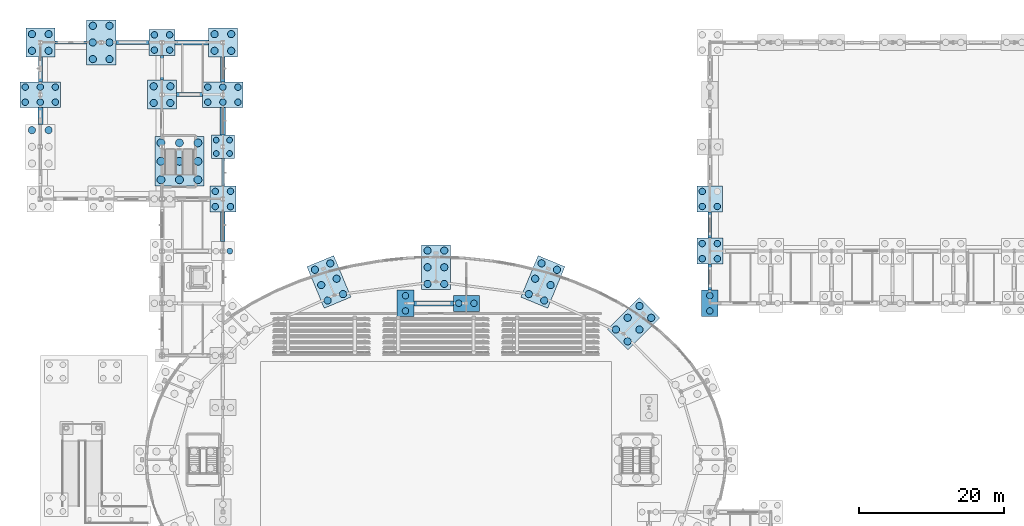
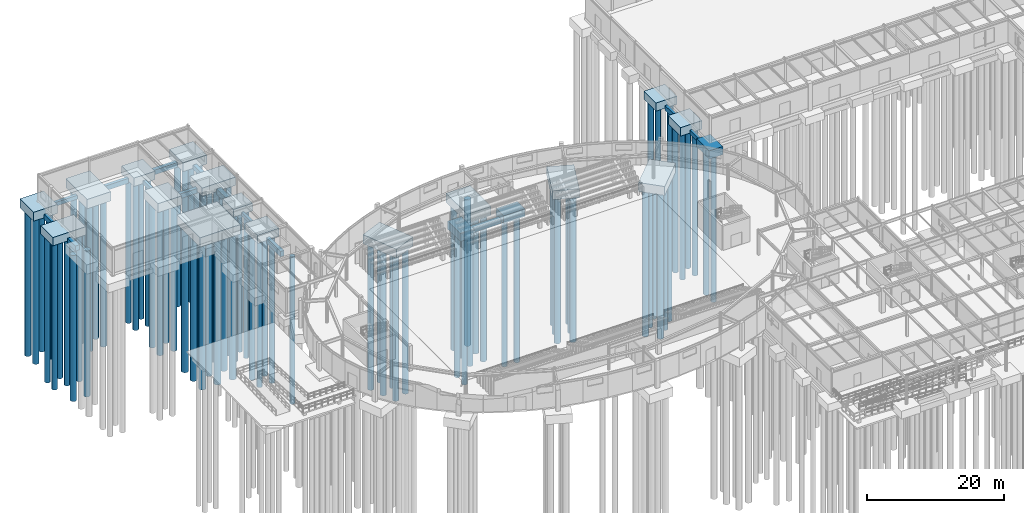
# One storey, part 4 of 93: 91 piles, 33 footings.
"""IFC4 building model written with IfcOpenShell, lengths in metres."""

from ifc_helpers import new_model, si_unit, derived_unit, direction, frame, origin, origin_2d, place, context, subcontext, project, spatial, rectangle, circle, extrude, material, material_profile, profile_set, type_object, element, save


model = new_model("IFC4")

# Units and contexts
model_context = context("Model", 3, precision=1e-05, world=origin(), true_north=direction((0.0, 1.0)))
body_context = subcontext(model_context, "Body", "Model", "MODEL_VIEW")
ifc_project = project(units=[si_unit("LENGTHUNIT", "METRE"), si_unit("AREAUNIT", "SQUARE_METRE"), si_unit("VOLUMEUNIT", "CUBIC_METRE"), si_unit("PLANEANGLEUNIT", "RADIAN"), si_unit("MASSUNIT", "GRAM", prefix="KILO"), derived_unit("THERMALTRANSMITTANCEUNIT", [(si_unit("MASSUNIT", "GRAM", prefix="KILO"), 1), (si_unit("TIMEUNIT", "SECOND"), -3), (si_unit("THERMODYNAMICTEMPERATUREUNIT", "KELVIN"), -1)])], contexts=[model_context])

# Site, building, storey
site_placement = place(None, origin())
site = spatial("IfcSite", under=ifc_project, at=site_placement, CompositionType="ELEMENT")
building_placement = place(site_placement, origin())
building = spatial("IfcBuilding", under=site, at=building_placement, Name="Kharveza Railside Sports Centre", CompositionType="ELEMENT")
storey_placement = place(building_placement, origin())
storey = spatial("IfcBuildingStorey", under=building, at=storey_placement, Name="L00", CompositionType="ELEMENT", Elevation=0.0)

# Footings
ifc_material = material(Name="Concrete C35/45", Category="concrete")
ifc_material_profile_1 = material_profile(ifc_material, rectangle(XDim=0.60009765625, YDim=0.800048828125, at=origin_2d()), Name="GB 600x800")
ifc_profile_set_1 = profile_set([ifc_material_profile_1], Name="Concrete C35/45")
footing_type_1 = type_object("IfcFootingType", Name="FT-GB01", PredefinedType="FOOTING_BEAM", material=ifc_profile_set_1)
footing_1_placement = place(storey_placement, frame((25.199951171875, 102.577880859375, -1.800048828125), z_axis=(0.0, 1.0, 0.0), x_axis=(-1.0, 0.0, 0.0)))
element("IfcFooting", 1, at=footing_1_placement, inside=storey, type_object=footing_type_1, Name="GB-NS-021", PredefinedType="FOOTING_BEAM", context=body_context, shape_type="SweptSolid", body=[
    extrude(rectangle(XDim=0.60009765625, YDim=0.800048828125, at=origin_2d()), origin(), (0.0, 0.0, 1.0), 3.419189453125),
])
ifc_material_profile_2 = material_profile(ifc_material, rectangle(XDim=0.699951171875, YDim=0.89990234375, at=origin_2d()), Name="GB 700x900")
ifc_profile_set_2 = profile_set([ifc_material_profile_2], Name="Concrete C35/45")
footing_type_2 = type_object("IfcFootingType", Name="FT-GB03", PredefinedType="FOOTING_BEAM", material=ifc_profile_set_2)
footing_2_placement = place(storey_placement, frame((0.0, 96.702880859375, -1.85009765625), z_axis=(0.0, 1.0, 0.0), x_axis=(-1.0, 0.0, 0.0)))
element("IfcFooting", 2, at=footing_2_placement, inside=storey, type_object=footing_type_2, Name="GB-NS-003", PredefinedType="FOOTING_BEAM", context=body_context, shape_type="SweptSolid", body=[
    extrude(rectangle(XDim=0.699951171875, YDim=0.89990234375, at=origin_2d()), origin(), (0.0, 0.0, 1.0), 2.319091796875),
])
footing_3_placement = place(storey_placement, frame((51.552978515625, 72.0, -1.85009765625), z_axis=(1.0, 0.0, 0.0), x_axis=(0.0, 1.0, 0.0)))
element("IfcFooting", 3, at=footing_3_placement, inside=storey, type_object=footing_type_2, Name="GB-EW-023", PredefinedType="FOOTING_BEAM", context=body_context, shape_type="SweptSolid", body=[
    extrude(rectangle(XDim=0.699951171875, YDim=0.89990234375, at=origin_2d()), origin(), (0.0, 0.0, 1.0), 5.444091796875),
])
ifc_material_profile_3 = material_profile(ifc_material, rectangle(XDim=0.550048828125, YDim=0.85009765625, at=origin_2d()), Name="GB 550x850")
ifc_profile_set_3 = profile_set([ifc_material_profile_3], Name="Concrete C35/45")
footing_type_3 = type_object("IfcFootingType", Name="FT-GB04", PredefinedType="FOOTING_BEAM", material=ifc_profile_set_3)
footing_4_placement = place(storey_placement, frame((0.0, 102.577880859375, -1.824951171875), z_axis=(0.0, 1.0, 0.0), x_axis=(-1.0, 0.0, 0.0)))
element("IfcFooting", 4, at=footing_4_placement, inside=storey, type_object=footing_type_3, Name="GB-NS-004", PredefinedType="FOOTING_BEAM", context=body_context, shape_type="SweptSolid", body=[
    extrude(rectangle(XDim=0.550048828125, YDim=0.85009765625, at=origin_2d()), origin(), (0.0, 0.0, 1.0), 3.419189453125),
])
footing_5_placement = place(storey_placement, frame((18.802978515625, 100.800048828125, -1.824951171875), z_axis=(1.0, 0.0, 0.0), x_axis=(0.0, 1.0, 0.0)))
element("IfcFooting", 5, at=footing_5_placement, inside=storey, type_object=footing_type_3, Name="GB-EW-014", PredefinedType="FOOTING_BEAM", context=body_context, shape_type="SweptSolid", body=[
    extrude(rectangle(XDim=0.550048828125, YDim=0.85009765625, at=origin_2d()), origin(), (0.0, 0.0, 1.0), 3.593994140625),
])
ifc_material_profile_4 = material_profile(ifc_material, rectangle(XDim=0.449951171875, YDim=0.699951171875, at=origin_2d()), Name="GB 450x700")
ifc_profile_set_4 = profile_set([ifc_material_profile_4], Name="Concrete C35/45")
footing_type_4 = type_object("IfcFootingType", Name="FT-GB05", PredefinedType="FOOTING_BEAM", material=ifc_profile_set_4)
footing_6_placement = place(storey_placement, frame((2.0029296875, 108.0, -1.75), z_axis=(1.0, 0.0, 0.0), x_axis=(0.0, 1.0, 0.0)))
element("IfcFooting", 6, at=footing_6_placement, inside=storey, type_object=footing_type_4, Name="GB-EW-005", PredefinedType="FOOTING_BEAM", context=body_context, shape_type="SweptSolid", body=[
    extrude(rectangle(XDim=0.449951171875, YDim=0.699951171875, at=origin_2d()), origin(), (0.0, 0.0, 1.0), 4.369140625),
])
footing_7_placement = place(storey_placement, frame((16.800048828125, 102.802978515625, -1.75), z_axis=(0.0, 1.0, 0.0), x_axis=(-1.0, 0.0, 0.0)))
element("IfcFooting", 7, at=footing_7_placement, inside=storey, type_object=footing_type_4, Name="GB-NS-015", PredefinedType="FOOTING_BEAM", context=body_context, shape_type="SweptSolid", body=[
    extrude(rectangle(XDim=0.449951171875, YDim=0.699951171875, at=origin_2d()), origin(), (0.0, 0.0, 1.0), 3.39404296875),
])
footing_8_placement = place(storey_placement, frame((92.39990234375, 73.827880859375, -1.75), z_axis=(0.0, 1.0, 0.0), x_axis=(-1.0, 0.0, 0.0)))
element("IfcFooting", 8, at=footing_8_placement, inside=storey, type_object=footing_type_4, Name="GB-NS-045", PredefinedType="FOOTING_BEAM", context=body_context, shape_type="SweptSolid", body=[
    extrude(rectangle(XDim=0.449951171875, YDim=0.699951171875, at=origin_2d()), origin(), (0.0, 0.0, 1.0), 3.569091796875),
])
ifc_material_profile_5 = material_profile(ifc_material, rectangle(XDim=0.64990234375, YDim=0.85009765625, at=origin_2d()), Name="GB 650x850")
ifc_profile_set_5 = profile_set([ifc_material_profile_5], Name="Concrete C35/45")
footing_type_5 = type_object("IfcFootingType", Name="FT-GB06", PredefinedType="FOOTING_BEAM", material=ifc_profile_set_5)
footing_9_placement = place(storey_placement, frame((18.60302734375, 108.0, -1.824951171875), z_axis=(1.0, 0.0, 0.0), x_axis=(0.0, 1.0, 0.0)))
element("IfcFooting", 9, at=footing_9_placement, inside=storey, type_object=footing_type_5, Name="GB-EW-016", PredefinedType="FOOTING_BEAM", context=body_context, shape_type="SweptSolid", body=[
    extrude(rectangle(XDim=0.64990234375, YDim=0.85009765625, at=origin_2d()), origin(), (0.0, 0.0, 1.0), 4.593994140625),
])
ifc_material_profile_6 = material_profile(ifc_material, rectangle(XDim=0.5, YDim=0.85009765625, at=origin_2d()), Name="GB 500x850")
ifc_profile_set_6 = profile_set([ifc_material_profile_6], Name="Concrete C35/45")
footing_type_6 = type_object("IfcFootingType", Name="FT-GB07", PredefinedType="FOOTING_BEAM", material=ifc_profile_set_6)
footing_10_placement = place(storey_placement, frame((10.427978515625, 108.0, -1.824951171875), z_axis=(1.0, 0.0, 0.0), x_axis=(0.0, 1.0, 0.0)))
element("IfcFooting", 10, at=footing_10_placement, inside=storey, type_object=footing_type_6, Name="GB-EW-007", PredefinedType="FOOTING_BEAM", context=body_context, shape_type="SweptSolid", body=[
    extrude(rectangle(XDim=0.5, YDim=0.85009765625, at=origin_2d()), origin(), (0.0, 0.0, 1.0), 4.569091796875),
])
footing_11_placement = place(storey_placement, frame((92.39990234375, 81.0029296875, -1.824951171875), z_axis=(0.0, 1.0, 0.0), x_axis=(-1.0, 0.0, 0.0)))
element("IfcFooting", 11, at=footing_11_placement, inside=storey, type_object=footing_type_6, Name="GB-NS-047", PredefinedType="FOOTING_BEAM", context=body_context, shape_type="SweptSolid", body=[
    extrude(rectangle(XDim=0.5, YDim=0.85009765625, at=origin_2d()), origin(), (0.0, 0.0, 1.0), 3.619140625),
])
ifc_material_profile_7 = material_profile(ifc_material, rectangle(XDim=0.60009765625, YDim=0.949951171875, at=origin_2d()), Name="GB 600x950")
ifc_profile_set_7 = profile_set([ifc_material_profile_7], Name="Concrete C35/45")
footing_type_7 = type_object("IfcFootingType", Name="FT-GB08", PredefinedType="FOOTING_BEAM", material=ifc_profile_set_7)
footing_12_placement = place(storey_placement, frame((25.199951171875, 80.5029296875, -1.875), z_axis=(0.0, 1.0, 0.0), x_axis=(-1.0, 0.0, 0.0)))
element("IfcFooting", 12, at=footing_12_placement, inside=storey, type_object=footing_type_7, Name="GB-NS-018", PredefinedType="FOOTING_BEAM", context=body_context, shape_type="SweptSolid", body=[
    extrude(rectangle(XDim=0.60009765625, YDim=0.949951171875, at=origin_2d()), origin(), (0.0, 0.0, 1.0), 4.093994140625),
])
ifc_material_profile_8 = material_profile(ifc_material, rectangle(XDim=0.39990234375, YDim=0.64990234375, at=origin_2d()), Name="GB 400x650")
ifc_profile_set_8 = profile_set([ifc_material_profile_8], Name="Concrete C35/45")
footing_type_8 = type_object("IfcFootingType", Name="FT-GB09", PredefinedType="FOOTING_BEAM", material=ifc_profile_set_8)
footing_13_placement = place(storey_placement, frame((25.199951171875, 88.202880859375, -1.72509765625), z_axis=(0.0, 1.0, 0.0), x_axis=(-1.0, 0.0, 0.0)))
element("IfcFooting", 13, at=footing_13_placement, inside=storey, type_object=footing_type_8, Name="GB-NS-019", PredefinedType="FOOTING_BEAM", context=body_context, shape_type="SweptSolid", body=[
    extrude(rectangle(XDim=0.39990234375, YDim=0.64990234375, at=origin_2d()), origin(), (0.0, 0.0, 1.0), 3.794189453125),
])
ifc_material_profile_9 = material_profile(ifc_material, rectangle(XDim=0.75, YDim=1.0, at=origin_2d()), Name="GB 750x1000")
ifc_profile_set_9 = profile_set([ifc_material_profile_9], Name="Concrete C35/45")
footing_type_9 = type_object("IfcFootingType", Name="FT-GB10", PredefinedType="FOOTING_BEAM", material=ifc_profile_set_9)
footing_14_placement = place(storey_placement, frame((25.199951171875, 95.202880859375, -1.89990234375), z_axis=(0.0, 1.0, 0.0), x_axis=(-1.0, 0.0, 0.0)))
element("IfcFooting", 14, at=footing_14_placement, inside=storey, type_object=footing_type_9, Name="GB-NS-020", PredefinedType="FOOTING_BEAM", context=body_context, shape_type="SweptSolid", body=[
    extrude(rectangle(XDim=0.75, YDim=1.0, at=origin_2d()), origin(), (0.0, 0.0, 1.0), 3.819091796875),
])
footing_type_10 = type_object("IfcFootingType", Name="FT-PC02", PredefinedType="PILE_CAP", material=ifc_material)
footing_15_placement = place(storey_placement, frame((58.800048828125, 72.0, -1.820068359375), z_axis=(0.0, 0.0, 1.0), x_axis=(1.0, 0.0, 0.0)))
element("IfcFooting", 15, at=footing_15_placement, inside=storey, type_object=footing_type_10, Name="FCAP-BOWL-04", PredefinedType="PILE_CAP", context=body_context, shape_type="SweptSolid", body=[
    extrude(rectangle(XDim=3.60009765625, YDim=2.199951171875, at=origin_2d()), origin(), (0.0, 0.0, 1.0), 1.39990234375),
])
footing_type_11 = type_object("IfcFootingType", Name="FT-PC03", PredefinedType="PILE_CAP", material=ifc_material)
for number, where, z_axis, x_axis, name in (
    (16, (50.39990234375, 72.0, -1.8701171875), (0.0, 0.0, 1.0), (1.0, 0.0, 0.0), "FCAP-BOWL-02"),
    (17, (92.39990234375, 72.0, -1.8701171875), (0.0, 0.0, 1.0), (1.0, 0.0, 0.0), "FCAP-GRD-039"),
):
    element("IfcFooting", number, at=place(storey_placement, frame(where, z_axis=z_axis, x_axis=x_axis)), inside=storey, type_object=footing_type_11, Name=name, PredefinedType="PILE_CAP", context=body_context, shape_type="SweptSolid", body=[
        extrude(rectangle(XDim=2.300048828125, YDim=3.64990234375, at=origin_2d()), origin(), (0.0, 0.0, 1.0), 1.449951171875),
    ])
footing_type_12 = type_object("IfcFootingType", Name="FT-PC04", PredefinedType="PILE_CAP", material=ifc_material)
for number, where, z_axis, x_axis, name in (
    (18, (16.800048828125, 108.0, -1.919921875), (0.0, 0.0, 1.0), (1.0, 0.0, 0.0), "FCAP-GRD-013"),
    (19, (25.199951171875, 86.39990234375, -1.919921875), (0.0, 0.0, 1.0), (1.0, 0.0, 0.0), "FCAP-GRD-017"),
    (20, (92.39990234375, 79.199951171875, -1.919921875), (0.0, 0.0, 1.0), (1.0, 0.0, 0.0), "FCAP-GRD-040"),
):
    element("IfcFooting", number, at=place(storey_placement, frame(where, z_axis=z_axis, x_axis=x_axis)), inside=storey, type_object=footing_type_12, Name=name, PredefinedType="PILE_CAP", context=body_context, shape_type="SweptSolid", body=[
        extrude(rectangle(XDim=3.60009765625, YDim=3.60009765625, at=origin_2d()), origin(), (0.0, 0.0, 1.0), 1.5),
    ])
footing_type_13 = type_object("IfcFootingType", Name="FT-PC05", PredefinedType="PILE_CAP", material=ifc_material)
for number, where, z_axis, x_axis, name in (
    (21, (0.0, 108.0, -2.02001953125), (0.0, 0.0, 1.0), (1.0, 0.0, 0.0), "FCAP-GRD-004"),
    (22, (16.800048828125, 100.800048828125, -2.02001953125), (0.0, 0.0, 1.0), (1.0, 0.0, 0.0), "FCAP-GRD-012"),
    (23, (25.199951171875, 108.0, -2.02001953125), (0.0, 0.0, 1.0), (1.0, 0.0, 0.0), "FCAP-GRD-020"),
):
    element("IfcFooting", number, at=place(storey_placement, frame(where, z_axis=z_axis, x_axis=x_axis)), inside=storey, type_object=footing_type_13, Name=name, PredefinedType="PILE_CAP", context=body_context, shape_type="SweptSolid", body=[
        extrude(rectangle(XDim=4.0, YDim=4.0, at=origin_2d()), origin(), (0.0, 0.0, 1.0), 1.60009765625),
    ])
footing_type_14 = type_object("IfcFootingType", Name="FT-PC06", PredefinedType="PILE_CAP", material=ifc_material)
for number, where, z_axis, x_axis, name in (
    (24, (81.876708984375, 69.19140625, -2.02001953125), (0.0, 0.0, 1.0), (0.707106781187, 0.707106781187, 0.0), "FCAP-DRUM-03"),
    (25, (69.362060546875, 74.9521484375, -2.02001953125), (0.0, 0.0, 1.0), (0.382683432365, 0.923879532511, 0.0), "FCAP-DRUM-04"),
    (26, (54.60009765625, 76.97509765625, -2.02001953125), (0.0, 0.0, 1.0), (0.0, 1.0, 0.0), "FCAP-DRUM-05"),
    (27, (39.837890625, 74.9521484375, -2.02001953125), (0.0, 0.0, 1.0), (-0.382683432365, 0.923879532511, 0.0), "FCAP-DRUM-06"),
):
    element("IfcFooting", number, at=place(storey_placement, frame(where, z_axis=z_axis, x_axis=x_axis)), inside=storey, type_object=footing_type_14, Name=name, PredefinedType="PILE_CAP", context=body_context, shape_type="SweptSolid", body=[
        extrude(rectangle(XDim=6.199951171875, YDim=4.0, at=origin_2d()), origin(), (0.0, 0.0, 1.0), 1.60009765625),
    ])
footing_type_15 = type_object("IfcFootingType", Name="FT-PC07", PredefinedType="PILE_CAP", material=ifc_material)
footing_16_placement = place(storey_placement, frame((8.39990234375, 108.0, -2.070068359375), z_axis=(0.0, 0.0, 1.0), x_axis=(1.0, 0.0, 0.0)))
element("IfcFooting", 28, at=footing_16_placement, inside=storey, type_object=footing_type_15, Name="FCAP-GRD-006", PredefinedType="PILE_CAP", context=body_context, shape_type="SweptSolid", body=[
    extrude(rectangle(XDim=4.050048828125, YDim=6.199951171875, at=origin_2d()), origin(), (0.0, 0.0, 1.0), 1.64990234375),
])
footing_type_16 = type_object("IfcFootingType", Name="FT-PC08", PredefinedType="PILE_CAP", material=ifc_material)
footing_17_placement = place(storey_placement, frame((19.199951171875, 91.60009765625, -2.1201171875), z_axis=(0.0, 0.0, 1.0), x_axis=(1.0, 0.0, 0.0)))
element("IfcFooting", 29, at=footing_17_placement, inside=storey, type_object=footing_type_16, Name="FCAP-CORE-06", PredefinedType="PILE_CAP", context=body_context, shape_type="SweptSolid", body=[
    extrude(rectangle(XDim=6.800048828125, YDim=6.800048828125, at=origin_2d()), origin(), (0.0, 0.0, 1.0), 1.699951171875),
])
footing_type_17 = type_object("IfcFootingType", Name="FT-PC10", PredefinedType="PILE_CAP", material=ifc_material)
footing_18_placement = place(storey_placement, frame((25.199951171875, 93.60009765625, -1.77001953125), z_axis=(0.0, 0.0, 1.0), x_axis=(1.0, 0.0, 0.0)))
element("IfcFooting", 30, at=footing_18_placement, inside=storey, type_object=footing_type_17, Name="FCAP-GRD-018", PredefinedType="PILE_CAP", context=body_context, shape_type="SweptSolid", body=[
    extrude(rectangle(XDim=3.199951171875, YDim=3.199951171875, at=origin_2d()), origin(), (0.0, 0.0, 1.0), 1.35009765625),
])
footing_type_18 = type_object("IfcFootingType", Name="FT-PC11", PredefinedType="PILE_CAP", material=ifc_material)
footing_19_placement = place(storey_placement, frame((92.39990234375, 86.39990234375, -1.8701171875), z_axis=(0.0, 0.0, 1.0), x_axis=(1.0, 0.0, 0.0)))
element("IfcFooting", 31, at=footing_19_placement, inside=storey, type_object=footing_type_18, Name="FCAP-GRD-041", PredefinedType="PILE_CAP", context=body_context, shape_type="SweptSolid", body=[
    extrude(rectangle(XDim=3.550048828125, YDim=3.550048828125, at=origin_2d()), origin(), (0.0, 0.0, 1.0), 1.449951171875),
])
footing_type_19 = type_object("IfcFootingType", Name="FT-PC12", PredefinedType="PILE_CAP", material=ifc_material)
for number, where, z_axis, x_axis, name in (
    (32, (0.0, 100.800048828125, -1.919921875), (0.0, 0.0, 1.0), (1.0, 0.0, 0.0), "FCAP-GRD-003"),
    (33, (25.199951171875, 100.800048828125, -1.919921875), (0.0, 0.0, 1.0), (1.0, 0.0, 0.0), "FCAP-GRD-019"),
):
    element("IfcFooting", number, at=place(storey_placement, frame(where, z_axis=z_axis, x_axis=x_axis)), inside=storey, type_object=footing_type_19, Name=name, PredefinedType="PILE_CAP", context=body_context, shape_type="SweptSolid", body=[
        extrude(rectangle(XDim=5.60009765625, YDim=3.550048828125, at=origin_2d()), origin(), (0.0, 0.0, 1.0), 1.5),
    ])

# Piles
ifc_material_profile_10 = material_profile(ifc_material, circle(Radius=0.5, at=origin_2d()), Name="PILE D1000")
ifc_profile_set_10 = profile_set([ifc_material_profile_10], Name="Concrete C35/45")
pile_type_1 = type_object("IfcPileType", Name="PL-B1000", PredefinedType="BORED", material=ifc_profile_set_10)
for number, where, z_axis, x_axis, name in (
    (34, (81.0634765625, 66.751708984375, -1.919921875), (0.0, 0.0, -1.0), (1.0, 0.0, 0.0), "FCAP-DRUM-03-P02-PL1"),
    (35, (82.689697265625, 68.378173828125, -1.919921875), (0.0, 0.0, -1.0), (1.0, 0.0, 0.0), "FCAP-DRUM-03-P02-PL2"),
    (36, (84.316162109375, 70.00439453125, -1.919921875), (0.0, 0.0, -1.0), (1.0, 0.0, 0.0), "FCAP-DRUM-03-P02-PL3"),
    (37, (79.43701171875, 68.378173828125, -1.919921875), (0.0, 0.0, -1.0), (1.0, 0.0, 0.0), "FCAP-DRUM-03-P02-PL4"),
    (38, (81.0634765625, 70.00439453125, -1.919921875), (0.0, 0.0, -1.0), (1.0, 0.0, 0.0), "FCAP-DRUM-03-P02-PL5"),
    (39, (82.689697265625, 71.630859375, -1.919921875), (0.0, 0.0, -1.0), (1.0, 0.0, 0.0), "FCAP-DRUM-03-P02-PL6"),
    (40, (69.544189453125, 72.38720703125, -1.919921875), (0.0, 0.0, -1.0), (1.0, 0.0, 0.0), "FCAP-DRUM-04-P02-PL1"),
    (41, (70.424560546875, 74.511962890625, -1.919921875), (0.0, 0.0, -1.0), (1.0, 0.0, 0.0), "FCAP-DRUM-04-P02-PL2"),
    (42, (71.3046875, 76.636962890625, -1.919921875), (0.0, 0.0, -1.0), (1.0, 0.0, 0.0), "FCAP-DRUM-04-P02-PL3"),
    (43, (67.41943359375, 73.267333984375, -1.919921875), (0.0, 0.0, -1.0), (1.0, 0.0, 0.0), "FCAP-DRUM-04-P02-PL4"),
    (44, (68.299560546875, 75.39208984375, -1.919921875), (0.0, 0.0, -1.0), (1.0, 0.0, 0.0), "FCAP-DRUM-04-P02-PL5"),
    (45, (69.1796875, 77.51708984375, -1.919921875), (0.0, 0.0, -1.0), (1.0, 0.0, 0.0), "FCAP-DRUM-04-P02-PL6"),
    (46, (55.75, 74.675048828125, -1.919921875), (0.0, 0.0, -1.0), (1.0, 0.0, 0.0), "FCAP-DRUM-05-P02-PL1"),
    (47, (55.75, 76.97509765625, -1.919921875), (0.0, 0.0, -1.0), (1.0, 0.0, 0.0), "FCAP-DRUM-05-P02-PL2"),
    (48, (55.75, 79.27490234375, -1.919921875), (0.0, 0.0, -1.0), (1.0, 0.0, 0.0), "FCAP-DRUM-05-P02-PL3"),
    (49, (53.449951171875, 74.675048828125, -1.919921875), (0.0, 0.0, -1.0), (1.0, 0.0, 0.0), "FCAP-DRUM-05-P02-PL4"),
    (50, (53.449951171875, 76.97509765625, -1.919921875), (0.0, 0.0, -1.0), (1.0, 0.0, 0.0), "FCAP-DRUM-05-P02-PL5"),
    (51, (53.449951171875, 79.27490234375, -1.919921875), (0.0, 0.0, -1.0), (1.0, 0.0, 0.0), "FCAP-DRUM-05-P02-PL6"),
    (52, (41.780517578125, 73.267333984375, -1.919921875), (0.0, 0.0, -1.0), (1.0, 0.0, 0.0), "FCAP-DRUM-06-P02-PL1"),
    (53, (40.900390625, 75.39208984375, -1.919921875), (0.0, 0.0, -1.0), (1.0, 0.0, 0.0), "FCAP-DRUM-06-P02-PL2"),
    (54, (40.020263671875, 77.51708984375, -1.919921875), (0.0, 0.0, -1.0), (1.0, 0.0, 0.0), "FCAP-DRUM-06-P02-PL3"),
    (55, (39.65576171875, 72.38720703125, -1.919921875), (0.0, 0.0, -1.0), (1.0, 0.0, 0.0), "FCAP-DRUM-06-P02-PL4"),
    (56, (38.775390625, 74.511962890625, -1.919921875), (0.0, 0.0, -1.0), (1.0, 0.0, 0.0), "FCAP-DRUM-06-P02-PL5"),
    (57, (37.8955078125, 76.636962890625, -1.919921875), (0.0, 0.0, -1.0), (1.0, 0.0, 0.0), "FCAP-DRUM-06-P02-PL6"),
):
    element("IfcPile", number, at=place(storey_placement, frame(where, z_axis=z_axis, x_axis=x_axis)), inside=storey, type_object=pile_type_1, Name=name, PredefinedType="BORED", context=body_context, shape_type="SweptSolid", body=[
        extrude(circle(Radius=0.5, at=origin_2d()), origin(), (0.0, 0.0, 1.0), 26.080078125),
    ])
for number, where, z_axis, x_axis, name in (
    (58, (-1.14990234375, 95.89990234375, -1.969970703125), (0.0, 0.0, -1.0), (1.0, 0.0, 0.0), "FCAP-GRD-002-P02-PL5"),
    (59, (1.14990234375, 95.89990234375, -1.969970703125), (0.0, 0.0, -1.0), (1.0, 0.0, 0.0), "FCAP-GRD-002-P02-PL6"),
):
    element("IfcPile", number, at=place(storey_placement, frame(where, z_axis=z_axis, x_axis=x_axis)), inside=storey, type_object=pile_type_1, Name=name, PredefinedType="BORED", context=body_context, shape_type="SweptSolid", body=[
        extrude(circle(Radius=0.5, at=origin_2d()), origin(), (0.0, 0.0, 1.0), 26.030029296875),
    ])
for number, where, z_axis, x_axis, name in (
    (60, (-1.14990234375, 106.85009765625, -1.919921875), (0.0, 0.0, -1.0), (1.0, 0.0, 0.0), "FCAP-GRD-004-P02-PL1"),
    (61, (1.14990234375, 106.85009765625, -1.919921875), (0.0, 0.0, -1.0), (1.0, 0.0, 0.0), "FCAP-GRD-004-P02-PL2"),
    (62, (-1.14990234375, 109.14990234375, -1.919921875), (0.0, 0.0, -1.0), (1.0, 0.0, 0.0), "FCAP-GRD-004-P02-PL3"),
    (63, (1.14990234375, 109.14990234375, -1.919921875), (0.0, 0.0, -1.0), (1.0, 0.0, 0.0), "FCAP-GRD-004-P02-PL4"),
):
    element("IfcPile", number, at=place(storey_placement, frame(where, z_axis=z_axis, x_axis=x_axis)), inside=storey, type_object=pile_type_1, Name=name, PredefinedType="BORED", context=body_context, shape_type="SweptSolid", body=[
        extrude(circle(Radius=0.5, at=origin_2d()), origin(), (0.0, 0.0, 1.0), 26.080078125),
    ])
for number, where, z_axis, x_axis, name in (
    (64, (7.25, 105.699951171875, -1.969970703125), (0.0, 0.0, -1.0), (1.0, 0.0, 0.0), "FCAP-GRD-006-P02-PL1"),
    (65, (9.550048828125, 105.699951171875, -1.969970703125), (0.0, 0.0, -1.0), (1.0, 0.0, 0.0), "FCAP-GRD-006-P02-PL2"),
    (66, (7.25, 108.0, -1.969970703125), (0.0, 0.0, -1.0), (1.0, 0.0, 0.0), "FCAP-GRD-006-P02-PL3"),
    (67, (9.550048828125, 108.0, -1.969970703125), (0.0, 0.0, -1.0), (1.0, 0.0, 0.0), "FCAP-GRD-006-P02-PL4"),
    (68, (7.25, 110.300048828125, -1.969970703125), (0.0, 0.0, -1.0), (1.0, 0.0, 0.0), "FCAP-GRD-006-P02-PL5"),
    (69, (9.550048828125, 110.300048828125, -1.969970703125), (0.0, 0.0, -1.0), (1.0, 0.0, 0.0), "FCAP-GRD-006-P02-PL6"),
):
    element("IfcPile", number, at=place(storey_placement, frame(where, z_axis=z_axis, x_axis=x_axis)), inside=storey, type_object=pile_type_1, Name=name, PredefinedType="BORED", context=body_context, shape_type="SweptSolid", body=[
        extrude(circle(Radius=0.5, at=origin_2d()), origin(), (0.0, 0.0, 1.0), 26.030029296875),
    ])
for number, where, z_axis, x_axis, name in (
    (70, (15.64990234375, 99.64990234375, -1.919921875), (0.0, 0.0, -1.0), (1.0, 0.0, 0.0), "FCAP-GRD-012-P02-PL1"),
    (71, (17.949951171875, 99.64990234375, -1.919921875), (0.0, 0.0, -1.0), (1.0, 0.0, 0.0), "FCAP-GRD-012-P02-PL2"),
    (72, (15.64990234375, 101.949951171875, -1.919921875), (0.0, 0.0, -1.0), (1.0, 0.0, 0.0), "FCAP-GRD-012-P02-PL3"),
    (73, (17.949951171875, 101.949951171875, -1.919921875), (0.0, 0.0, -1.0), (1.0, 0.0, 0.0), "FCAP-GRD-012-P02-PL4"),
    (74, (24.050048828125, 106.85009765625, -1.919921875), (0.0, 0.0, -1.0), (1.0, 0.0, 0.0), "FCAP-GRD-020-P02-PL1"),
    (75, (26.35009765625, 106.85009765625, -1.919921875), (0.0, 0.0, -1.0), (1.0, 0.0, 0.0), "FCAP-GRD-020-P02-PL2"),
    (76, (24.050048828125, 109.14990234375, -1.919921875), (0.0, 0.0, -1.0), (1.0, 0.0, 0.0), "FCAP-GRD-020-P02-PL3"),
    (77, (26.35009765625, 109.14990234375, -1.919921875), (0.0, 0.0, -1.0), (1.0, 0.0, 0.0), "FCAP-GRD-020-P02-PL4"),
):
    element("IfcPile", number, at=place(storey_placement, frame(where, z_axis=z_axis, x_axis=x_axis)), inside=storey, type_object=pile_type_1, Name=name, PredefinedType="BORED", context=body_context, shape_type="SweptSolid", body=[
        extrude(circle(Radius=0.5, at=origin_2d()), origin(), (0.0, 0.0, 1.0), 26.080078125),
    ])
ifc_material_profile_11 = material_profile(ifc_material, circle(Radius=0.550048828125, at=origin_2d()), Name="PILE D1100")
ifc_profile_set_11 = profile_set([ifc_material_profile_11], Name="Concrete C35/45")
pile_type_2 = type_object("IfcPileType", Name="PL-B1100", PredefinedType="BORED", material=ifc_profile_set_11)
for number, where, z_axis, x_axis, name in (
    (78, (16.64990234375, 89.050048828125, -2.02001953125), (0.0, 0.0, -1.0), (1.0, 0.0, 0.0), "FCAP-CORE-06-P03-PL1"),
    (79, (19.199951171875, 89.050048828125, -2.02001953125), (0.0, 0.0, -1.0), (1.0, 0.0, 0.0), "FCAP-CORE-06-P03-PL2"),
    (80, (21.75, 89.050048828125, -2.02001953125), (0.0, 0.0, -1.0), (1.0, 0.0, 0.0), "FCAP-CORE-06-P03-PL3"),
    (81, (16.64990234375, 91.60009765625, -2.02001953125), (0.0, 0.0, -1.0), (1.0, 0.0, 0.0), "FCAP-CORE-06-P03-PL4"),
    (82, (19.199951171875, 91.60009765625, -2.02001953125), (0.0, 0.0, -1.0), (1.0, 0.0, 0.0), "FCAP-CORE-06-P03-PL5"),
    (83, (21.75, 91.60009765625, -2.02001953125), (0.0, 0.0, -1.0), (1.0, 0.0, 0.0), "FCAP-CORE-06-P03-PL6"),
    (84, (16.64990234375, 94.14990234375, -2.02001953125), (0.0, 0.0, -1.0), (1.0, 0.0, 0.0), "FCAP-CORE-06-P03-PL7"),
    (85, (19.199951171875, 94.14990234375, -2.02001953125), (0.0, 0.0, -1.0), (1.0, 0.0, 0.0), "FCAP-CORE-06-P03-PL8"),
    (86, (21.75, 94.14990234375, -2.02001953125), (0.0, 0.0, -1.0), (1.0, 0.0, 0.0), "FCAP-CORE-06-P03-PL9"),
):
    element("IfcPile", number, at=place(storey_placement, frame(where, z_axis=z_axis, x_axis=x_axis)), inside=storey, type_object=pile_type_2, Name=name, PredefinedType="BORED", context=body_context, shape_type="SweptSolid", body=[
        extrude(circle(Radius=0.550048828125, at=origin_2d()), origin(), (0.0, 0.0, 1.0), 25.97998046875),
    ])
ifc_material_profile_12 = material_profile(ifc_material, circle(Radius=0.39990234375, at=origin_2d()), Name="PILE D800")
ifc_profile_set_12 = profile_set([ifc_material_profile_12], Name="Concrete C35/45")
pile_type_3 = type_object("IfcPileType", Name="PL-B800", PredefinedType="BORED", material=ifc_profile_set_12)
pile_placement = place(storey_placement, frame((26.14990234375, 79.199951171875, -1.719970703125), z_axis=(0.0, 0.0, -1.0), x_axis=(1.0, 0.0, 0.0)))
element("IfcPile", 87, at=pile_placement, inside=storey, type_object=pile_type_3, Name="FCAP-GRD-016-P04-PL2", PredefinedType="BORED", context=body_context, shape_type="SweptSolid", body=[
    extrude(circle(Radius=0.39990234375, at=origin_2d()), origin(), (0.0, 0.0, 1.0), 26.280029296875),
])
for number, where, z_axis, x_axis, name in (
    (88, (24.27490234375, 92.675048828125, -1.669921875), (0.0, 0.0, -1.0), (1.0, 0.0, 0.0), "FCAP-GRD-018-P04-PL1"),
    (89, (26.125, 92.675048828125, -1.669921875), (0.0, 0.0, -1.0), (1.0, 0.0, 0.0), "FCAP-GRD-018-P04-PL2"),
    (90, (24.27490234375, 94.52490234375, -1.669921875), (0.0, 0.0, -1.0), (1.0, 0.0, 0.0), "FCAP-GRD-018-P04-PL3"),
    (91, (26.125, 94.52490234375, -1.669921875), (0.0, 0.0, -1.0), (1.0, 0.0, 0.0), "FCAP-GRD-018-P04-PL4"),
):
    element("IfcPile", number, at=place(storey_placement, frame(where, z_axis=z_axis, x_axis=x_axis)), inside=storey, type_object=pile_type_3, Name=name, PredefinedType="BORED", context=body_context, shape_type="SweptSolid", body=[
        extrude(circle(Radius=0.39990234375, at=origin_2d()), origin(), (0.0, 0.0, 1.0), 26.330078125),
    ])
ifc_material_profile_13 = material_profile(ifc_material, circle(Radius=0.449951171875, at=origin_2d()), Name="PILE D900")
ifc_profile_set_13 = profile_set([ifc_material_profile_13], Name="Concrete C35/45")
pile_type_4 = type_object("IfcPileType", Name="PL-B900", PredefinedType="BORED", material=ifc_profile_set_13)
for number, where, z_axis, x_axis, name in (
    (92, (50.39990234375, 70.949951171875, -1.77001953125), (0.0, 0.0, -1.0), (1.0, 0.0, 0.0), "FCAP-BOWL-02-P01-PL1"),
    (93, (50.39990234375, 73.050048828125, -1.77001953125), (0.0, 0.0, -1.0), (1.0, 0.0, 0.0), "FCAP-BOWL-02-P01-PL2"),
):
    element("IfcPile", number, at=place(storey_placement, frame(where, z_axis=z_axis, x_axis=x_axis)), inside=storey, type_object=pile_type_4, Name=name, PredefinedType="BORED", context=body_context, shape_type="SweptSolid", body=[
        extrude(circle(Radius=0.449951171875, at=origin_2d()), origin(), (0.0, 0.0, 1.0), 26.22998046875),
    ])
for number, where, z_axis, x_axis, name in (
    (94, (57.75, 72.0, -1.719970703125), (0.0, 0.0, -1.0), (1.0, 0.0, 0.0), "FCAP-BOWL-04-P01-PL1"),
    (95, (59.85009765625, 72.0, -1.719970703125), (0.0, 0.0, -1.0), (1.0, 0.0, 0.0), "FCAP-BOWL-04-P01-PL2"),
):
    element("IfcPile", number, at=place(storey_placement, frame(where, z_axis=z_axis, x_axis=x_axis)), inside=storey, type_object=pile_type_4, Name=name, PredefinedType="BORED", context=body_context, shape_type="SweptSolid", body=[
        extrude(circle(Radius=0.449951171875, at=origin_2d()), origin(), (0.0, 0.0, 1.0), 26.280029296875),
    ])
for number, where, z_axis, x_axis, name in (
    (96, (-2.080078125, 99.760009765625, -1.820068359375), (0.0, 0.0, -1.0), (1.0, 0.0, 0.0), "FCAP-GRD-003-P01-PL1"),
    (97, (0.0, 99.760009765625, -1.820068359375), (0.0, 0.0, -1.0), (1.0, 0.0, 0.0), "FCAP-GRD-003-P01-PL2"),
    (98, (2.080078125, 99.760009765625, -1.820068359375), (0.0, 0.0, -1.0), (1.0, 0.0, 0.0), "FCAP-GRD-003-P01-PL3"),
    (99, (-2.080078125, 101.840087890625, -1.820068359375), (0.0, 0.0, -1.0), (1.0, 0.0, 0.0), "FCAP-GRD-003-P01-PL4"),
    (100, (0.0, 101.840087890625, -1.820068359375), (0.0, 0.0, -1.0), (1.0, 0.0, 0.0), "FCAP-GRD-003-P01-PL5"),
    (101, (2.080078125, 101.840087890625, -1.820068359375), (0.0, 0.0, -1.0), (1.0, 0.0, 0.0), "FCAP-GRD-003-P01-PL6"),
    (102, (15.75, 106.949951171875, -1.820068359375), (0.0, 0.0, -1.0), (1.0, 0.0, 0.0), "FCAP-GRD-013-P01-PL1"),
    (103, (17.85009765625, 106.949951171875, -1.820068359375), (0.0, 0.0, -1.0), (1.0, 0.0, 0.0), "FCAP-GRD-013-P01-PL2"),
    (104, (15.75, 109.050048828125, -1.820068359375), (0.0, 0.0, -1.0), (1.0, 0.0, 0.0), "FCAP-GRD-013-P01-PL3"),
    (105, (17.85009765625, 109.050048828125, -1.820068359375), (0.0, 0.0, -1.0), (1.0, 0.0, 0.0), "FCAP-GRD-013-P01-PL4"),
    (106, (24.14990234375, 85.35009765625, -1.820068359375), (0.0, 0.0, -1.0), (1.0, 0.0, 0.0), "FCAP-GRD-017-P01-PL1"),
    (107, (26.25, 85.35009765625, -1.820068359375), (0.0, 0.0, -1.0), (1.0, 0.0, 0.0), "FCAP-GRD-017-P01-PL2"),
    (108, (24.14990234375, 87.449951171875, -1.820068359375), (0.0, 0.0, -1.0), (1.0, 0.0, 0.0), "FCAP-GRD-017-P01-PL3"),
    (109, (26.25, 87.449951171875, -1.820068359375), (0.0, 0.0, -1.0), (1.0, 0.0, 0.0), "FCAP-GRD-017-P01-PL4"),
    (110, (23.1201171875, 99.760009765625, -1.820068359375), (0.0, 0.0, -1.0), (1.0, 0.0, 0.0), "FCAP-GRD-019-P01-PL1"),
    (111, (25.199951171875, 99.760009765625, -1.820068359375), (0.0, 0.0, -1.0), (1.0, 0.0, 0.0), "FCAP-GRD-019-P01-PL2"),
    (112, (27.280029296875, 99.760009765625, -1.820068359375), (0.0, 0.0, -1.0), (1.0, 0.0, 0.0), "FCAP-GRD-019-P01-PL3"),
    (113, (23.1201171875, 101.840087890625, -1.820068359375), (0.0, 0.0, -1.0), (1.0, 0.0, 0.0), "FCAP-GRD-019-P01-PL4"),
    (114, (25.199951171875, 101.840087890625, -1.820068359375), (0.0, 0.0, -1.0), (1.0, 0.0, 0.0), "FCAP-GRD-019-P01-PL5"),
    (115, (27.280029296875, 101.840087890625, -1.820068359375), (0.0, 0.0, -1.0), (1.0, 0.0, 0.0), "FCAP-GRD-019-P01-PL6"),
):
    element("IfcPile", number, at=place(storey_placement, frame(where, z_axis=z_axis, x_axis=x_axis)), inside=storey, type_object=pile_type_4, Name=name, PredefinedType="BORED", context=body_context, shape_type="SweptSolid", body=[
        extrude(circle(Radius=0.449951171875, at=origin_2d()), origin(), (0.0, 0.0, 1.0), 26.179931640625),
    ])
for number, where, z_axis, x_axis, name in (
    (116, (92.39990234375, 70.949951171875, -1.77001953125), (0.0, 0.0, -1.0), (1.0, 0.0, 0.0), "FCAP-GRD-039-P01-PL1"),
    (117, (92.39990234375, 73.050048828125, -1.77001953125), (0.0, 0.0, -1.0), (1.0, 0.0, 0.0), "FCAP-GRD-039-P01-PL2"),
):
    element("IfcPile", number, at=place(storey_placement, frame(where, z_axis=z_axis, x_axis=x_axis)), inside=storey, type_object=pile_type_4, Name=name, PredefinedType="BORED", context=body_context, shape_type="SweptSolid", body=[
        extrude(circle(Radius=0.449951171875, at=origin_2d()), origin(), (0.0, 0.0, 1.0), 26.22998046875),
    ])
for number, where, z_axis, x_axis, name in (
    (118, (91.35009765625, 78.14990234375, -1.820068359375), (0.0, 0.0, -1.0), (1.0, 0.0, 0.0), "FCAP-GRD-040-P01-PL1"),
    (119, (93.449951171875, 78.14990234375, -1.820068359375), (0.0, 0.0, -1.0), (1.0, 0.0, 0.0), "FCAP-GRD-040-P01-PL2"),
    (120, (91.35009765625, 80.25, -1.820068359375), (0.0, 0.0, -1.0), (1.0, 0.0, 0.0), "FCAP-GRD-040-P01-PL3"),
    (121, (93.449951171875, 80.25, -1.820068359375), (0.0, 0.0, -1.0), (1.0, 0.0, 0.0), "FCAP-GRD-040-P01-PL4"),
):
    element("IfcPile", number, at=place(storey_placement, frame(where, z_axis=z_axis, x_axis=x_axis)), inside=storey, type_object=pile_type_4, Name=name, PredefinedType="BORED", context=body_context, shape_type="SweptSolid", body=[
        extrude(circle(Radius=0.449951171875, at=origin_2d()), origin(), (0.0, 0.0, 1.0), 26.179931640625),
    ])
for number, where, z_axis, x_axis, name in (
    (122, (91.360107421875, 85.360107421875, -1.77001953125), (0.0, 0.0, -1.0), (1.0, 0.0, 0.0), "FCAP-GRD-041-P01-PL1"),
    (123, (93.43994140625, 85.360107421875, -1.77001953125), (0.0, 0.0, -1.0), (1.0, 0.0, 0.0), "FCAP-GRD-041-P01-PL2"),
    (124, (91.360107421875, 87.43994140625, -1.77001953125), (0.0, 0.0, -1.0), (1.0, 0.0, 0.0), "FCAP-GRD-041-P01-PL3"),
):
    element("IfcPile", number, at=place(storey_placement, frame(where, z_axis=z_axis, x_axis=x_axis)), inside=storey, type_object=pile_type_4, Name=name, PredefinedType="BORED", context=body_context, shape_type="SweptSolid", body=[
        extrude(circle(Radius=0.449951171875, at=origin_2d()), origin(), (0.0, 0.0, 1.0), 26.22998046875),
    ])

save(model, "model.ifc")
